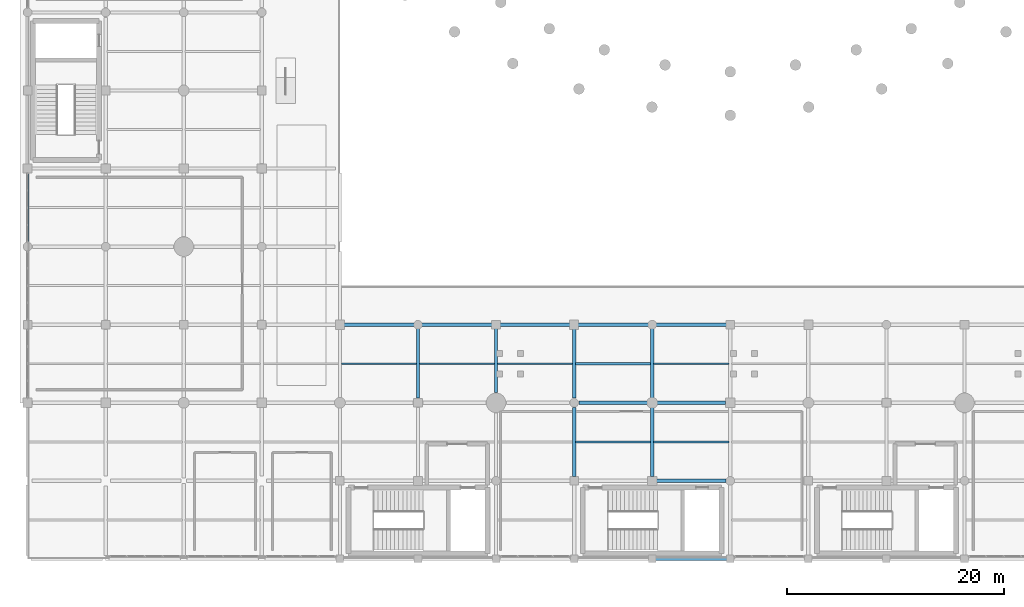
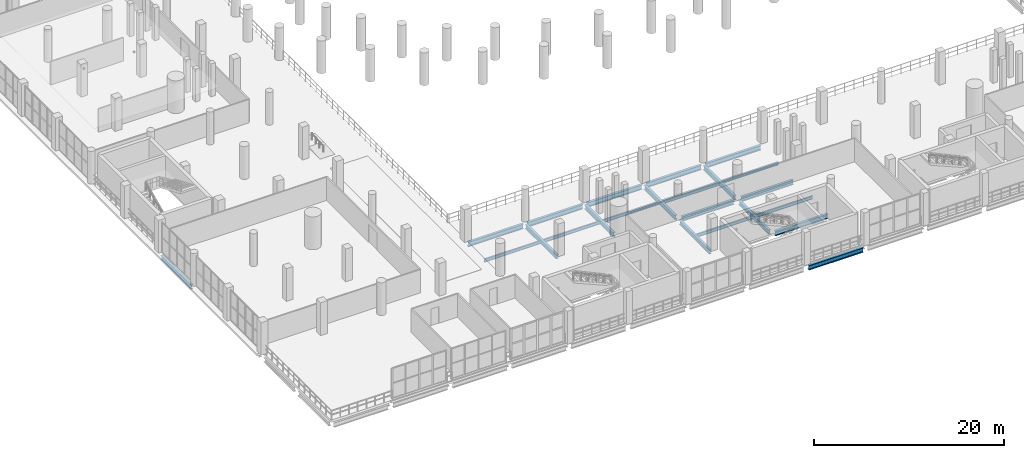
# One storey, part 18 of 153: 23 beams.
"""IFC4 building model written with IfcOpenShell, lengths in metres."""

from ifc_helpers import new_model, si_unit, direction, frame, origin, origin_2d, place, context, subcontext, project, spatial, i_section, extrude, material, material_profile, profile_set, type_object, element, save


model = new_model("IFC4")

# Units and contexts
model_context = context("Model", 3, precision=1e-05, world=origin(), true_north=direction((0.0, 1.0)))
body_context = subcontext(model_context, "Body", "Model", "MODEL_VIEW")
ifc_project = project(units=[si_unit("LENGTHUNIT", "METRE"), si_unit("AREAUNIT", "SQUARE_METRE"), si_unit("VOLUMEUNIT", "CUBIC_METRE"), si_unit("PLANEANGLEUNIT", "RADIAN"), si_unit("MASSUNIT", "GRAM", prefix="KILO")], contexts=[model_context])

# Site, building, storey
site_placement = place(None, origin())
site = spatial("IfcSite", under=ifc_project, at=site_placement, CompositionType="ELEMENT")
building_placement = place(site_placement, origin())
building = spatial("IfcBuilding", under=site, at=building_placement, Name="Qandorah Velis Arena", CompositionType="ELEMENT")
storey_placement = place(building_placement, frame((0.0, 0.0, 5.39990234375)))
storey = spatial("IfcBuildingStorey", under=building, at=storey_placement, Name="L01", CompositionType="ELEMENT", Elevation=5.39990234375)

# Beams
ifc_material = material(Name="Steel S355", Category="steel")
ifc_material_profile_1 = material_profile(ifc_material, i_section(OverallWidth=0.300048828125, OverallDepth=0.550048828125, WebThickness=0.014892578125, FlangeThickness=0.029052734375, FilletRadius=0.027099609375, at=origin_2d()), Name="HEB 550")
ifc_profile_set_1 = profile_set([ifc_material_profile_1], Name="Steel S355")
beam_type_1 = type_object("IfcBeamType", Name="STR-BM-HEB550", PredefinedType="BEAM", material=ifc_profile_set_1)
beam_1_placement = place(storey_placement, frame((0.0, 29.25, -0.635009765625), z_axis=(0.0, 1.0, 0.0), x_axis=(-1.0, 0.0, 0.0)))
element("IfcBeam", 1, at=beam_1_placement, inside=storey, type_object=beam_type_1, Name="Primary floor girder L01 Y-224", PredefinedType="BEAM", context=body_context, shape_type="SweptSolid", body=[
    extrude(i_section(OverallWidth=0.300048828125, OverallDepth=0.550048828125, WebThickness=0.014892578125, FlangeThickness=0.029052734375, FilletRadius=0.027099609375, at=origin_2d()), origin(), (0.0, 0.0, 1.0), 6.35009765625),
])
beam_2_placement = place(storey_placement, frame((36.0, 14.85009765625, -0.635009765625), z_axis=(0.0, 1.0, 0.0), x_axis=(-1.0, 0.0, 0.0)))
element("IfcBeam", 2, at=beam_2_placement, inside=storey, type_object=beam_type_1, Name="Primary floor girder L01 Y-303", PredefinedType="BEAM", context=body_context, shape_type="SweptSolid", body=[
    extrude(i_section(OverallWidth=0.300048828125, OverallDepth=0.550048828125, WebThickness=0.014892578125, FlangeThickness=0.029052734375, FilletRadius=0.027099609375, at=origin_2d()), origin(), (0.0, 0.0, 1.0), 6.5),
])
beam_3_placement = place(storey_placement, frame((43.199951171875, 15.35009765625, -0.635009765625), z_axis=(0.0, 1.0, 0.0), x_axis=(-1.0, 0.0, 0.0)))
element("IfcBeam", 3, at=beam_3_placement, inside=storey, type_object=beam_type_1, Name="Primary floor girder L01 Y-308", PredefinedType="BEAM", context=body_context, shape_type="SweptSolid", body=[
    extrude(i_section(OverallWidth=0.300048828125, OverallDepth=0.550048828125, WebThickness=0.014892578125, FlangeThickness=0.029052734375, FilletRadius=0.027099609375, at=origin_2d()), origin(), (0.0, 0.0, 1.0), 6.0),
])
beam_4_placement = place(storey_placement, frame((50.39990234375, 7.60009765625, -0.635009765625), z_axis=(0.0, 1.0, 0.0), x_axis=(-1.0, 0.0, 0.0)))
element("IfcBeam", 4, at=beam_4_placement, inside=storey, type_object=beam_type_1, Name="Primary floor girder L01 Y-313", PredefinedType="BEAM", context=body_context, shape_type="SweptSolid", body=[
    extrude(i_section(OverallWidth=0.300048828125, OverallDepth=0.550048828125, WebThickness=0.014892578125, FlangeThickness=0.029052734375, FilletRadius=0.027099609375, at=origin_2d()), origin(), (0.0, 0.0, 1.0), 6.349853515625),
])
beam_5_placement = place(storey_placement, frame((50.39990234375, 14.85009765625, -0.635009765625), z_axis=(0.0, 1.0, 0.0), x_axis=(-1.0, 0.0, 0.0)))
element("IfcBeam", 5, at=beam_5_placement, inside=storey, type_object=beam_type_1, Name="Primary floor girder L01 Y-314", PredefinedType="BEAM", context=body_context, shape_type="SweptSolid", body=[
    extrude(i_section(OverallWidth=0.300048828125, OverallDepth=0.550048828125, WebThickness=0.014892578125, FlangeThickness=0.029052734375, FilletRadius=0.027099609375, at=origin_2d()), origin(), (0.0, 0.0, 1.0), 6.5),
])
beam_6_placement = place(storey_placement, frame((57.60009765625, 7.60009765625, -0.635009765625), z_axis=(0.0, 1.0, 0.0), x_axis=(-1.0, 0.0, 0.0)))
element("IfcBeam", 6, at=beam_6_placement, inside=storey, type_object=beam_type_1, Name="Primary floor girder L01 Y-318", PredefinedType="BEAM", context=body_context, shape_type="SweptSolid", body=[
    extrude(i_section(OverallWidth=0.300048828125, OverallDepth=0.550048828125, WebThickness=0.014892578125, FlangeThickness=0.029052734375, FilletRadius=0.027099609375, at=origin_2d()), origin(), (0.0, 0.0, 1.0), 6.349853515625),
])
beam_7_placement = place(storey_placement, frame((57.60009765625, 14.85009765625, -0.635009765625), z_axis=(0.0, 1.0, 0.0), x_axis=(-1.0, 0.0, 0.0)))
element("IfcBeam", 7, at=beam_7_placement, inside=storey, type_object=beam_type_1, Name="Primary floor girder L01 Y-319", PredefinedType="BEAM", context=body_context, shape_type="SweptSolid", body=[
    extrude(i_section(OverallWidth=0.300048828125, OverallDepth=0.550048828125, WebThickness=0.014892578125, FlangeThickness=0.029052734375, FilletRadius=0.027099609375, at=origin_2d()), origin(), (0.0, 0.0, 1.0), 6.5),
])
ifc_material_profile_2 = material_profile(ifc_material, i_section(OverallWidth=0.300048828125, OverallDepth=0.60009765625, WebThickness=0.015380859375, FlangeThickness=0.030029296875, FilletRadius=0.027099609375, at=origin_2d()), Name="HEB 600")
ifc_profile_set_2 = profile_set([ifc_material_profile_2], Name="Steel S355")
beam_type_2 = type_object("IfcBeamType", Name="STR-BM-HEB600", PredefinedType="BEAM", material=ifc_profile_set_2)
beam_8_placement = place(storey_placement, frame((57.89990234375, 0.0, -0.659912109375), z_axis=(1.0, 0.0, 0.0), x_axis=(0.0, 1.0, 0.0)))
element("IfcBeam", 8, at=beam_8_placement, inside=storey, type_object=beam_type_2, Name="Primary floor girder L01 X-009", PredefinedType="BEAM", context=body_context, shape_type="SweptSolid", body=[
    extrude(i_section(OverallWidth=0.300048828125, OverallDepth=0.60009765625, WebThickness=0.015380859375, FlangeThickness=0.030029296875, FilletRadius=0.027099609375, at=origin_2d()), origin(), (0.0, 0.0, 1.0), 6.60009765625),
])
beam_9_placement = place(storey_placement, frame((58.0, 7.199951171875, -0.659912109375), z_axis=(1.0, 0.0, 0.0), x_axis=(0.0, 1.0, 0.0)))
element("IfcBeam", 9, at=beam_9_placement, inside=storey, type_object=beam_type_2, Name="Primary floor girder L01 X-025", PredefinedType="BEAM", context=body_context, shape_type="SweptSolid", body=[
    extrude(i_section(OverallWidth=0.300048828125, OverallDepth=0.60009765625, WebThickness=0.015380859375, FlangeThickness=0.030029296875, FilletRadius=0.027099609375, at=origin_2d()), origin(), (0.0, 0.0, 1.0), 6.39990234375),
])
beam_10_placement = place(storey_placement, frame((50.85009765625, 14.39990234375, -0.659912109375), z_axis=(1.0, 0.0, 0.0), x_axis=(0.0, 1.0, 0.0)))
element("IfcBeam", 10, at=beam_10_placement, inside=storey, type_object=beam_type_2, Name="Primary floor girder L01 X-040", PredefinedType="BEAM", context=body_context, shape_type="SweptSolid", body=[
    extrude(i_section(OverallWidth=0.300048828125, OverallDepth=0.60009765625, WebThickness=0.015380859375, FlangeThickness=0.030029296875, FilletRadius=0.027099609375, at=origin_2d()), origin(), (0.0, 0.0, 1.0), 6.2998046875),
])
beam_11_placement = place(storey_placement, frame((58.050048828125, 14.39990234375, -0.659912109375), z_axis=(1.0, 0.0, 0.0), x_axis=(0.0, 1.0, 0.0)))
element("IfcBeam", 11, at=beam_11_placement, inside=storey, type_object=beam_type_2, Name="Primary floor girder L01 X-041", PredefinedType="BEAM", context=body_context, shape_type="SweptSolid", body=[
    extrude(i_section(OverallWidth=0.300048828125, OverallDepth=0.60009765625, WebThickness=0.015380859375, FlangeThickness=0.030029296875, FilletRadius=0.027099609375, at=origin_2d()), origin(), (0.0, 0.0, 1.0), 6.300048828125),
])
for number, where, z_axis, x_axis, name in (
    (12, (29.050048828125, 21.60009765625, -0.659912109375), (1.0, 0.0, 0.0), (0.0, 1.0, 0.0), "Primary floor girder L01 X-053"),
    (13, (36.25, 21.60009765625, -0.659912109375), (1.0, 0.0, 0.0), (0.0, 1.0, 0.0), "Primary floor girder L01 X-054"),
    (14, (43.449951171875, 21.60009765625, -0.659912109375), (1.0, 0.0, 0.0), (0.0, 1.0, 0.0), "Primary floor girder L01 X-055"),
):
    element("IfcBeam", number, at=place(storey_placement, frame(where, z_axis=z_axis, x_axis=x_axis)), inside=storey, type_object=beam_type_2, Name=name, PredefinedType="BEAM", context=body_context, shape_type="SweptSolid", body=[
        extrude(i_section(OverallWidth=0.300048828125, OverallDepth=0.60009765625, WebThickness=0.015380859375, FlangeThickness=0.030029296875, FilletRadius=0.027099609375, at=origin_2d()), origin(), (0.0, 0.0, 1.0), 6.699951171875),
    ])
beam_12_placement = place(storey_placement, frame((50.64990234375, 21.60009765625, -0.659912109375), z_axis=(1.0, 0.0, 0.0), x_axis=(0.0, 1.0, 0.0)))
element("IfcBeam", 15, at=beam_12_placement, inside=storey, type_object=beam_type_2, Name="Primary floor girder L01 X-056", PredefinedType="BEAM", context=body_context, shape_type="SweptSolid", body=[
    extrude(i_section(OverallWidth=0.300048828125, OverallDepth=0.60009765625, WebThickness=0.015380859375, FlangeThickness=0.030029296875, FilletRadius=0.027099609375, at=origin_2d()), origin(), (0.0, 0.0, 1.0), 6.7001953125),
])
beam_13_placement = place(storey_placement, frame((57.85009765625, 21.60009765625, -0.659912109375), z_axis=(1.0, 0.0, 0.0), x_axis=(0.0, 1.0, 0.0)))
element("IfcBeam", 16, at=beam_13_placement, inside=storey, type_object=beam_type_2, Name="Primary floor girder L01 X-057", PredefinedType="BEAM", context=body_context, shape_type="SweptSolid", body=[
    extrude(i_section(OverallWidth=0.300048828125, OverallDepth=0.60009765625, WebThickness=0.015380859375, FlangeThickness=0.030029296875, FilletRadius=0.027099609375, at=origin_2d()), origin(), (0.0, 0.0, 1.0), 6.699951171875),
])
ifc_material_profile_3 = material_profile(ifc_material, i_section(OverallWidth=0.179931640625, OverallDepth=0.39990234375, WebThickness=0.008544921875, FlangeThickness=0.013427734375, FilletRadius=0.02099609375, at=origin_2d()), Name="IPE 400")
ifc_profile_set_3 = profile_set([ifc_material_profile_3], Name="Steel S355")
beam_type_3 = type_object("IfcBeamType", Name="STR-JST-IPE400", PredefinedType="JOIST", material=ifc_profile_set_3)
for number, where, z_axis, x_axis, name in (
    (17, (28.93505859375, 18.0, -0.559814453125), (1.0, 0.0, 0.0), (0.0, 1.0, 0.0), "Secondary floor joist L01-062"),
    (18, (36.135009765625, 18.0, -0.559814453125), (1.0, 0.0, 0.0), (0.0, 1.0, 0.0), "Secondary floor joist L01-066"),
    (19, (43.3349609375, 18.0, -0.559814453125), (1.0, 0.0, 0.0), (0.0, 1.0, 0.0), "Secondary floor joist L01-071"),
):
    element("IfcBeam", number, at=place(storey_placement, frame(where, z_axis=z_axis, x_axis=x_axis)), inside=storey, type_object=beam_type_3, Name=name, PredefinedType="JOIST", context=body_context, shape_type="SweptSolid", body=[
        extrude(i_section(OverallWidth=0.179931640625, OverallDepth=0.39990234375, WebThickness=0.008544921875, FlangeThickness=0.013427734375, FilletRadius=0.02099609375, at=origin_2d()), origin(), (0.0, 0.0, 1.0), 6.929931640625),
    ])
beam_14_placement = place(storey_placement, frame((50.534912109375, 10.800048828125, -0.559814453125), z_axis=(1.0, 0.0, 0.0), x_axis=(0.0, 1.0, 0.0)))
element("IfcBeam", 20, at=beam_14_placement, inside=storey, type_object=beam_type_3, Name="Secondary floor joist L01-075", PredefinedType="JOIST", context=body_context, shape_type="SweptSolid", body=[
    extrude(i_section(OverallWidth=0.179931640625, OverallDepth=0.39990234375, WebThickness=0.008544921875, FlangeThickness=0.013427734375, FilletRadius=0.02099609375, at=origin_2d()), origin(), (0.0, 0.0, 1.0), 6.93017578125),
])
for number, where, z_axis, x_axis, name in (
    (21, (57.735107421875, 10.800048828125, -0.559814453125), (1.0, 0.0, 0.0), (0.0, 1.0, 0.0), "Secondary floor joist L01-079"),
    (22, (57.735107421875, 18.0, -0.559814453125), (1.0, 0.0, 0.0), (0.0, 1.0, 0.0), "Secondary floor joist L01-080"),
):
    element("IfcBeam", number, at=place(storey_placement, frame(where, z_axis=z_axis, x_axis=x_axis)), inside=storey, type_object=beam_type_3, Name=name, PredefinedType="JOIST", context=body_context, shape_type="SweptSolid", body=[
        extrude(i_section(OverallWidth=0.179931640625, OverallDepth=0.39990234375, WebThickness=0.008544921875, FlangeThickness=0.013427734375, FilletRadius=0.02099609375, at=origin_2d()), origin(), (0.0, 0.0, 1.0), 6.929931640625),
    ])
ifc_material_profile_4 = material_profile(ifc_material, i_section(OverallWidth=0.199951171875, OverallDepth=0.5, WebThickness=0.01025390625, FlangeThickness=0.01611328125, FilletRadius=0.02099609375, at=origin_2d()), Name="IPE 500")
ifc_profile_set_4 = profile_set([ifc_material_profile_4], Name="Steel S355")
beam_type_4 = type_object("IfcBeamType", Name="STR-JST-IPE500", PredefinedType="JOIST", material=ifc_profile_set_4)
beam_15_placement = place(storey_placement, frame((50.534912109375, 18.0, -0.60986328125), z_axis=(1.0, 0.0, 0.0), x_axis=(0.0, 1.0, 0.0)))
element("IfcBeam", 23, at=beam_15_placement, inside=storey, type_object=beam_type_4, Name="Secondary floor joist L01-076", PredefinedType="JOIST", context=body_context, shape_type="SweptSolid", body=[
    extrude(i_section(OverallWidth=0.199951171875, OverallDepth=0.5, WebThickness=0.01025390625, FlangeThickness=0.01611328125, FilletRadius=0.02099609375, at=origin_2d()), origin(), (0.0, 0.0, 1.0), 6.93017578125),
])

save(model, "model.ifc")
